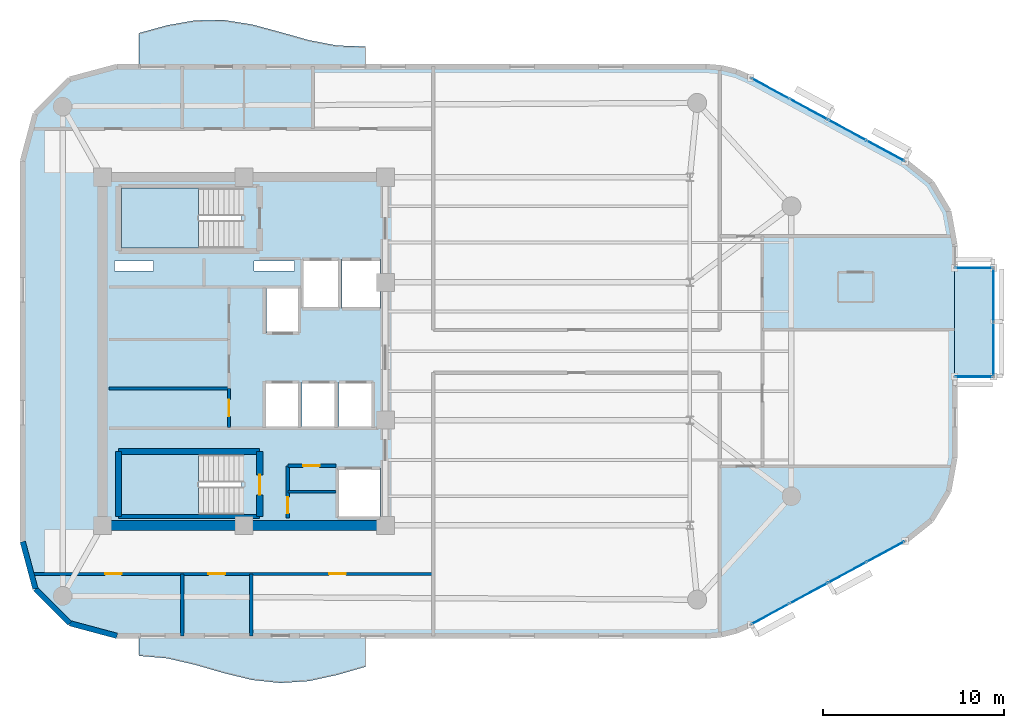
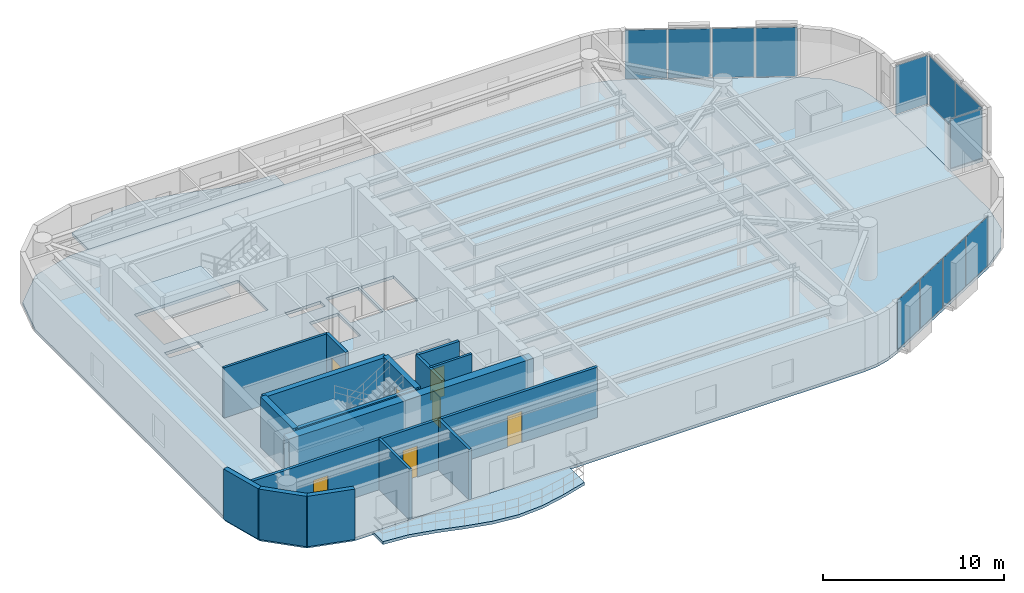
# One storey, part 9 of 14: 16 walls, 12 plates, 7 doors, 6 slabs, 7 openings, 7 elements without a shape of their own.
"""IFC4 building model written with IfcOpenShell, lengths in metres."""

from ifc_helpers import new_model, si_unit, direction, frame, frame_2d, origin, origin_2d, place, context, subcontext, project, spatial, polyline, rectangle, outline, extrude, material, layer, layer_set, type_object, element, fill, aggregate, save


model = new_model("IFC4")

# Units and contexts
model_context = context("Model", 3, precision=1e-05, world=origin(), true_north=direction((0.0, 1.0)))
body_context = subcontext(model_context, "Body", "Model", "MODEL_VIEW")
ifc_project = project(units=[si_unit("LENGTHUNIT", "METRE"), si_unit("AREAUNIT", "SQUARE_METRE"), si_unit("VOLUMEUNIT", "CUBIC_METRE"), si_unit("PLANEANGLEUNIT", "RADIAN"), si_unit("MASSUNIT", "GRAM", prefix="KILO")], contexts=[model_context])

# Site, building, storey
site_placement = place(None, origin())
site = spatial("IfcSite", under=ifc_project, at=site_placement, CompositionType="ELEMENT")
building_placement = place(site_placement, origin())
building = spatial("IfcBuilding", under=site, at=building_placement, Name="An Khanh Terracotta Commons", CompositionType="ELEMENT")
storey_placement = place(building_placement, frame((0.0, 0.0, 230.10009765625)))
storey = spatial("IfcBuildingStorey", under=building, at=storey_placement, Name="L60", CompositionType="ELEMENT", Elevation=230.10009765625)

# Curtain wall, plates
ifc_material_1 = material(Name="Anodised Aluminium 6063-T6", Category="aluminium")
ifc_layer_1 = layer(ifc_material_1, 0.2099609375, Name="Anodised Aluminium 6063-T6")
ifc_layer_set_1 = layer_set([ifc_layer_1], Name="Anodised Aluminium 6063-T6")
curtain_wall_type_1 = type_object("IfcCurtainWallType", Name="CW-SYS-03", PredefinedType="USERDEFINED", material=ifc_layer_set_1)
curtain_wall_1_placement = place(storey_placement, origin())
curtain_wall_1 = element("IfcCurtainWall", 1, at=curtain_wall_1_placement, inside=storey, type_object=curtain_wall_type_1, Name="L60 CW-03 Unitised Curtain Wall CW-L60-08", ObjectType="UNITISED CURTAIN WALL", PredefinedType="USERDEFINED")
ifc_material_2 = material(Name="Acoustic Laminated Low-E Glazing", Category="glass")
ifc_layer_2 = layer(ifc_material_2, 0.035888671875, Name="Acoustic Laminated Low-E Glazing")
ifc_layer_set_2 = layer_set([ifc_layer_2], Name="Acoustic Laminated Low-E Glazing")
plate_type_1 = type_object("IfcPlateType", Name="CWP-IGU-36", PredefinedType="CURTAIN_PANEL", material=ifc_layer_set_2)
plate_1_placement = place(storey_placement, frame((58.436767578125, 9.508544921875, 0.0498046875), z_axis=(0.0, 0.0, 1.0), x_axis=(0.879780095306, 0.47538088298, 0.0)))
plate_1 = element("IfcPlate", 2, at=plate_1_placement, type_object=plate_type_1, Name="CW-03 panel 1.1", PredefinedType="CURTAIN_PANEL", context=body_context, shape_type="SweptSolid", body=[
    extrude(rectangle(XDim=2.314697265625, YDim=0.035888671875, at=origin_2d()), origin(), (0.0, 0.0, 1.0), 3.300048828125),
])
plate_2_placement = place(storey_placement, frame((60.550048828125, 10.650390625, 0.0498046875), z_axis=(0.0, 0.0, 1.0), x_axis=(0.879780095306, 0.47538088298, 0.0)))
plate_2 = element("IfcPlate", 3, at=plate_2_placement, type_object=plate_type_1, Name="CW-03 panel 2.1", PredefinedType="CURTAIN_PANEL", context=body_context, shape_type="SweptSolid", body=[
    extrude(rectangle(XDim=2.349609375, YDim=0.035888671875, at=origin_2d()), origin(), (0.0, 0.0, 1.0), 3.300048828125),
])
plate_3_placement = place(storey_placement, frame((62.678955078125, 11.800537109375, 0.0498046875), z_axis=(0.0, 0.0, 1.0), x_axis=(0.879780095306, 0.47538088298, 0.0)))
plate_3 = element("IfcPlate", 4, at=plate_3_placement, type_object=plate_type_1, Name="CW-03 panel 3.1", PredefinedType="CURTAIN_PANEL", context=body_context, shape_type="SweptSolid", body=[
    extrude(rectangle(XDim=2.349609375, YDim=0.035888671875, at=origin_2d()), origin(), (0.0, 0.0, 1.0), 3.300048828125),
])
plate_4_placement = place(storey_placement, frame((64.792236328125, 12.942626953125, 0.0498046875), z_axis=(0.0, 0.0, 1.0), x_axis=(0.879780095306, 0.47538088298, 0.0)))
plate_4 = element("IfcPlate", 5, at=plate_4_placement, type_object=plate_type_1, Name="CW-03 panel 4.1", PredefinedType="CURTAIN_PANEL", context=body_context, shape_type="SweptSolid", body=[
    extrude(rectangle(XDim=2.314697265625, YDim=0.035888671875, at=origin_2d()), origin(), (0.0, 0.0, 1.0), 3.300048828125),
])
aggregate(curtain_wall_1, [plate_1, plate_2, plate_3, plate_4])

curtain_wall_2_placement = place(storey_placement, origin())
curtain_wall_2 = element("IfcCurtainWall", 6, at=curtain_wall_2_placement, inside=storey, type_object=curtain_wall_type_1, Name="L60 CW-03 Unitised Curtain Wall CW-L60-16", ObjectType="UNITISED CURTAIN WALL", PredefinedType="USERDEFINED")
plate_5_placement = place(storey_placement, frame((64.792236328125, 35.057373046875, 0.0498046875), z_axis=(0.0, 0.0, 1.0), x_axis=(-0.879780095306, 0.47538088298, 0.0)))
plate_5 = element("IfcPlate", 7, at=plate_5_placement, type_object=plate_type_1, Name="CW-03 panel 1.1", PredefinedType="CURTAIN_PANEL", context=body_context, shape_type="SweptSolid", body=[
    extrude(rectangle(XDim=2.314697265625, YDim=0.035888671875, at=origin_2d()), origin(), (0.0, 0.0, 1.0), 3.300048828125),
])
plate_6_placement = place(storey_placement, frame((62.678955078125, 36.199462890625, 0.0498046875), z_axis=(0.0, 0.0, 1.0), x_axis=(-0.879780095306, 0.47538088298, 0.0)))
plate_6 = element("IfcPlate", 8, at=plate_6_placement, type_object=plate_type_1, Name="CW-03 panel 2.1", PredefinedType="CURTAIN_PANEL", context=body_context, shape_type="SweptSolid", body=[
    extrude(rectangle(XDim=2.349609375, YDim=0.035888671875, at=origin_2d()), origin(), (0.0, 0.0, 1.0), 3.300048828125),
])
plate_7_placement = place(storey_placement, frame((60.550048828125, 37.349609375, 0.0498046875), z_axis=(0.0, 0.0, 1.0), x_axis=(-0.879780095306, 0.47538088298, 0.0)))
plate_7 = element("IfcPlate", 9, at=plate_7_placement, type_object=plate_type_1, Name="CW-03 panel 3.1", PredefinedType="CURTAIN_PANEL", context=body_context, shape_type="SweptSolid", body=[
    extrude(rectangle(XDim=2.349609375, YDim=0.035888671875, at=origin_2d()), origin(), (0.0, 0.0, 1.0), 3.300048828125),
])
plate_8_placement = place(storey_placement, frame((58.436767578125, 38.491455078125, 0.0498046875), z_axis=(0.0, 0.0, 1.0), x_axis=(-0.879780095306, 0.47538088298, 0.0)))
plate_8 = element("IfcPlate", 10, at=plate_8_placement, type_object=plate_type_1, Name="CW-03 panel 4.1", PredefinedType="CURTAIN_PANEL", context=body_context, shape_type="SweptSolid", body=[
    extrude(rectangle(XDim=2.314697265625, YDim=0.035888671875, at=origin_2d()), origin(), (0.0, 0.0, 1.0), 3.300048828125),
])
aggregate(curtain_wall_2, [plate_5, plate_6, plate_7, plate_8])

ifc_layer_3 = layer(ifc_material_1, 0.239990234375, Name="Anodised Aluminium 6063-T6")
ifc_layer_set_3 = layer_set([ifc_layer_3], Name="Anodised Aluminium 6063-T6")
curtain_wall_type_2 = type_object("IfcCurtainWallType", Name="CW-SYS-04", PredefinedType="USERDEFINED", material=ifc_layer_set_3)
curtain_wall_3_placement = place(storey_placement, origin())
curtain_wall_3 = element("IfcCurtainWall", 11, at=curtain_wall_3_placement, inside=storey, type_object=curtain_wall_type_2, Name="L60 CW-04 Unitised Curtain Wall CW-L60-EBOX-1", ObjectType="UNITISED CURTAIN WALL", PredefinedType="USERDEFINED")
ifc_material_3 = material(Name="Triple-Silver Sky-Lobby Glazing", Category="glass")
ifc_layer_4 = layer(ifc_material_3, 0.0400390625, Name="Triple-Silver Sky-Lobby Glazing")
ifc_layer_set_4 = layer_set([ifc_layer_4], Name="Triple-Silver Sky-Lobby Glazing")
plate_type_2 = type_object("IfcPlateType", Name="CWP-IGU-40", PredefinedType="CURTAIN_PANEL", material=ifc_layer_set_4)
plate_9_placement = place(storey_placement, frame((70.75, 24.1162109375, 0.06005859375), z_axis=(0.0, 0.0, 1.0), x_axis=(0.0, 1.0, 0.0)))
plate_9 = element("IfcPlate", 12, at=plate_9_placement, type_object=plate_type_2, Name="CW-04 panel 1.1", PredefinedType="CURTAIN_PANEL", context=body_context, shape_type="SweptSolid", body=[
    extrude(rectangle(XDim=2.902587890625, YDim=0.0400390625, at=origin_2d()), origin(), (0.0, 0.0, 1.0), 3.280029296875),
])
plate_10_placement = place(storey_placement, frame((70.75, 27.083740234375, 0.06005859375), z_axis=(0.0, 0.0, 1.0), x_axis=(0.0, 1.0, 0.0)))
plate_10 = element("IfcPlate", 13, at=plate_10_placement, type_object=plate_type_2, Name="CW-04 panel 2.1", PredefinedType="CURTAIN_PANEL", context=body_context, shape_type="SweptSolid", body=[
    extrude(rectangle(XDim=2.902587890625, YDim=0.0400390625, at=origin_2d()), origin(), (0.0, 0.0, 1.0), 3.280029296875),
])
aggregate(curtain_wall_3, [plate_9, plate_10])

# Curtain wall, plate
curtain_wall_4_placement = place(storey_placement, origin())
curtain_wall_4 = element("IfcCurtainWall", 14, at=curtain_wall_4_placement, inside=storey, type_object=curtain_wall_type_2, Name="L60 CW-04 Unitised Curtain Wall CW-L60-EBOX-2", ObjectType="UNITISED CURTAIN WALL", PredefinedType="USERDEFINED")
plate_11_placement = place(storey_placement, frame((69.675048828125, 22.60009765625, 0.06005859375), z_axis=(0.0, 0.0, 1.0), x_axis=(1.0, 0.0, 0.0)))
plate_11 = element("IfcPlate", 15, at=plate_11_placement, type_object=plate_type_2, Name="CW-04 panel 1.1", PredefinedType="CURTAIN_PANEL", context=body_context, shape_type="SweptSolid", body=[
    extrude(rectangle(XDim=2.02001953125, YDim=0.0400390625, at=origin_2d()), origin(), (0.0, 0.0, 1.0), 3.280029296875),
])
aggregate(curtain_wall_4, [plate_11])

curtain_wall_5_placement = place(storey_placement, origin())
curtain_wall_5 = element("IfcCurtainWall", 16, at=curtain_wall_5_placement, inside=storey, type_object=curtain_wall_type_2, Name="L60 CW-04 Unitised Curtain Wall CW-L60-EBOX-3", ObjectType="UNITISED CURTAIN WALL", PredefinedType="USERDEFINED")
plate_12_placement = place(storey_placement, frame((69.675048828125, 28.60009765625, 0.06005859375), z_axis=(0.0, 0.0, 1.0), x_axis=(-1.0, 0.0, 0.0)))
plate_12 = element("IfcPlate", 17, at=plate_12_placement, type_object=plate_type_2, Name="CW-04 panel 1.1", PredefinedType="CURTAIN_PANEL", context=body_context, shape_type="SweptSolid", body=[
    extrude(rectangle(XDim=2.02001953125, YDim=0.0400390625, at=origin_2d()), origin(), (0.0, 0.0, 1.0), 3.280029296875),
])
aggregate(curtain_wall_5, [plate_12])

# Slabs
ifc_material_4 = material(Name="Concrete C40/50", Category="concrete")
ifc_layer_5 = layer(ifc_material_4, 0.199951171875, Name="Concrete C40/50")
ifc_layer_set_5 = layer_set([ifc_layer_5], Name="Concrete C40/50")
slab_type_1 = type_object("IfcSlabType", Name="SLAB-BALC-200", PredefinedType="FLOOR", material=ifc_layer_set_5)
slab_1_placement = place(storey_placement, frame((0.0, 0.0, -0.2001953125)))
element("IfcSlab", 18, at=slab_1_placement, inside=storey, type_object=slab_type_1, Name="L60 S Sinusoidal Wave Balcony Slab", PredefinedType="FLOOR", context=body_context, shape_type="SweptSolid", body=[
    extrude(outline(polyline([(23.60009765625, 8.300048828125), (23.60009765625, 7.199951171875), (25.1630859375, 7.06298828125), (26.72509765625, 6.702880859375), (28.2880859375, 6.25), (29.85009765625, 5.8701171875), (31.4130859375, 5.701904296875), (32.97509765625, 5.806884765625), (34.5380859375, 6.14599609375), (36.10009765625, 6.595947265625), (36.10009765625, 8.300048828125), (23.60009765625, 8.300048828125)])), origin(), (0.0, 0.0, 1.0), 0.2001953125),
])
slab_2_placement = place(storey_placement, frame((0.0, 0.0, -0.2001953125)))
element("IfcSlab", 19, at=slab_2_placement, inside=storey, type_object=slab_type_1, Name="L60 N Sinusoidal Wave Balcony Slab", PredefinedType="FLOOR", context=body_context, shape_type="SweptSolid", body=[
    extrude(outline(polyline([(36.10009765625, 39.699951171875), (36.10009765625, 40.81396484375), (34.5380859375, 40.864013671875), (32.97509765625, 41.1640625), (31.4130859375, 41.60498046875), (29.85009765625, 42.02587890625), (28.2880859375, 42.27294921875), (26.72509765625, 42.256103515625), (25.1630859375, 41.98193359375), (23.60009765625, 41.550048828125), (23.60009765625, 39.699951171875), (36.10009765625, 39.699951171875)])), origin(), (0.0, 0.0, 1.0), 0.2001953125),
])

# Stair, slab
ifc_material_5 = material(Name="Precast concrete C40/50", Category="concrete")
stair_type = type_object("IfcStairType", Name="STAIR-CORE-1550", PredefinedType="HALF_TURN_STAIR", material=ifc_material_5)
stair_1_placement = place(storey_placement, origin())
stair_1 = element("IfcStair", 20, at=stair_1_placement, inside=storey, type_object=stair_type, Name="L60 Core Smokeproof Exit Stair ST-01", PredefinedType="HALF_TURN_STAIR")
ifc_layer_6 = layer(ifc_material_4, 0.18994140625, Name="Concrete C40/50")
ifc_layer_set_6 = layer_set([ifc_layer_6], Name="Concrete C40/50")
slab_type_2 = type_object("IfcSlabType", Name="SLAB-LANDING-190", PredefinedType="LANDING", material=ifc_layer_set_6)
slab_3_placement = place(storey_placement, frame((0.0, 0.0, 1.599853515625)))
slab_3 = element("IfcSlab", 21, at=slab_3_placement, type_object=slab_type_2, Name="ST-01 landing 1", PredefinedType="LANDING", context=body_context, shape_type="SweptSolid", body=[
    extrude(outline(polyline([(26.889892578125, 33.0), (22.64990234375, 33.0), (22.64990234375, 29.699951171875), (26.889892578125, 29.699951171875), (26.889892578125, 33.0)])), origin(), (0.0, 0.0, 1.0), 0.199951171875),
])
aggregate(stair_1, [slab_3])

stair_2_placement = place(storey_placement, origin())
stair_2 = element("IfcStair", 22, at=stair_2_placement, inside=storey, type_object=stair_type, Name="L60 Core Smokeproof Exit Stair ST-02", PredefinedType="HALF_TURN_STAIR")
slab_4_placement = place(storey_placement, frame((0.0, 0.0, 1.599853515625)))
slab_4 = element("IfcSlab", 23, at=slab_4_placement, type_object=slab_type_2, Name="ST-02 landing 1", PredefinedType="LANDING", context=body_context, shape_type="SweptSolid", body=[
    extrude(outline(polyline([(26.889892578125, 18.300048828125), (22.64990234375, 18.300048828125), (22.64990234375, 15.0), (26.889892578125, 15.0), (26.889892578125, 18.300048828125)])), origin(), (0.0, 0.0, 1.0), 0.199951171875),
])
aggregate(stair_2, [slab_4])

# Slabs
ifc_layer_7 = layer(ifc_material_4, 0.199951171875, Name="Concrete C40/50")
ifc_layer_set_7 = layer_set([ifc_layer_7], Name="Concrete C40/50")
slab_type_3 = type_object("IfcSlabType", Name="SLAB-TYP-200", PredefinedType="FLOOR", material=ifc_layer_set_7)
slab_5_placement = place(storey_placement, frame((0.0, 0.0, -0.2001953125)))
element("IfcSlab", 24, at=slab_5_placement, inside=storey, type_object=slab_type_3, Name="L60 Structural Floor Slab", PredefinedType="FLOOR", context=body_context, shape_type="SweptSolid", body=[
    extrude(outline(polyline([(17.199951171875, 13.5), (17.89697265625, 10.89990234375), (19.800048828125, 8.9970703125), (22.39990234375, 8.300048828125), (54.885009765625, 8.300048828125), (55.739990234375, 8.37109375), (56.571044921875, 8.5810546875), (57.35693359375, 8.925048828125), (65.8720703125, 13.52587890625), (67.320068359375, 14.68408203125), (68.26904296875, 16.27587890625), (68.60009765625, 18.10107421875), (68.60009765625, 29.89892578125), (68.26904296875, 31.72412109375), (67.320068359375, 33.31591796875), (65.8720703125, 34.47412109375), (57.35693359375, 39.074951171875), (56.571044921875, 39.4189453125), (55.739990234375, 39.62890625), (54.885009765625, 39.699951171875), (22.39990234375, 39.699951171875), (19.800048828125, 39.0029296875), (17.89697265625, 37.10009765625), (17.199951171875, 34.5), (17.199951171875, 13.5)]), holes=[polyline([(22.64990234375, 29.699951171875), (29.27001953125, 29.699951171875), (29.27001953125, 33.0), (22.64990234375, 33.0), (22.64990234375, 29.699951171875)]), polyline([(22.64990234375, 15.0), (29.27001953125, 15.0), (29.27001953125, 18.300048828125), (22.64990234375, 18.300048828125), (22.64990234375, 15.0)]), polyline([(32.60009765625, 26.35009765625), (34.679931640625, 26.35009765625), (34.679931640625, 29.080078125), (32.60009765625, 29.080078125), (32.60009765625, 26.35009765625)]), polyline([(34.820068359375, 26.35009765625), (36.89990234375, 26.35009765625), (36.89990234375, 29.080078125), (34.820068359375, 29.080078125), (34.820068359375, 26.35009765625)]), polyline([(34.550048828125, 14.800048828125), (36.89990234375, 14.800048828125), (36.89990234375, 17.550048828125), (34.550048828125, 17.550048828125), (34.550048828125, 14.800048828125)]), polyline([(30.639892578125, 25.0), (32.4599609375, 25.0), (32.4599609375, 27.5), (30.639892578125, 27.5), (30.639892578125, 25.0)]), polyline([(30.56005859375, 19.800048828125), (32.4599609375, 19.800048828125), (32.4599609375, 22.300048828125), (30.56005859375, 22.300048828125), (30.56005859375, 19.800048828125)]), polyline([(32.60009765625, 19.800048828125), (34.5, 19.800048828125), (34.5, 22.300048828125), (32.60009765625, 22.300048828125), (32.60009765625, 19.800048828125)]), polyline([(34.639892578125, 19.800048828125), (36.5400390625, 19.800048828125), (36.5400390625, 22.300048828125), (34.639892578125, 22.300048828125), (34.639892578125, 19.800048828125)]), polyline([(22.25, 28.419921875), (24.39990234375, 28.419921875), (24.39990234375, 28.97998046875), (22.25, 28.97998046875), (22.25, 28.419921875)]), polyline([(29.949951171875, 28.419921875), (32.199951171875, 28.419921875), (32.199951171875, 28.97998046875), (29.949951171875, 28.97998046875), (29.949951171875, 28.419921875)])]), origin(), (0.0, 0.0, 1.0), 0.2001953125),
])
slab_6_placement = place(storey_placement, frame((0.0, 0.0, -0.2001953125)))
element("IfcSlab", 25, at=slab_6_placement, inside=storey, type_object=slab_type_3, Name="L60 Shifted Social Kitchen Box Floor Slab", PredefinedType="FLOOR", context=body_context, shape_type="SweptSolid", body=[
    extrude(outline(polyline([(68.60009765625, 22.60009765625), (70.75, 22.60009765625), (70.75, 28.60009765625), (68.60009765625, 28.60009765625), (68.60009765625, 22.60009765625)])), origin(), (0.0, 0.0, 1.0), 0.2001953125),
])

# Wall
ifc_material_6 = material(Name="Concrete C50/60", Category="concrete")
ifc_layer_8 = layer(ifc_material_6, 0.550048828125, Name="Concrete C50/60")
ifc_layer_set_8 = layer_set([ifc_layer_8], Name="Concrete C50/60")
wall_type_1 = type_object("IfcWallType", Name="WALL-CORE-550", PredefinedType="SHEAR", material=ifc_layer_set_8)
wall_1_placement = place(storey_placement, frame((37.199951171875, 14.39990234375, 0.0), z_axis=(0.0, 0.0, 1.0), x_axis=(-1.0, 0.0, 0.0)))
element("IfcWall", 26, at=wall_1_placement, inside=storey, type_object=wall_type_1, Name="L60 Core Wall CWALL-L60-S", PredefinedType="SHEAR", context=body_context, shape_type="SweptSolid", body=[
    extrude(rectangle(XDim=15.599853515625, YDim=0.550048828125, at=frame_2d((7.7998046875, 0.0))), origin(), (0.0, 0.0, 1.0), 3.39990234375),
])

# Wall, opening, door
ifc_material_7 = material(Name="Fire-Rated Gypsum Board on Steel Stud", Category="steel")
ifc_layer_9 = layer(ifc_material_7, 0.179931640625, Name="Fire-Rated Gypsum Board on Steel Stud")
ifc_layer_set_9 = layer_set([ifc_layer_9], Name="Fire-Rated Gypsum Board on Steel Stud")
wall_type_2 = type_object("IfcWallType", Name="WALL-CORR-180", PredefinedType="PARTITIONING", material=ifc_layer_set_9)
wall_2_placement = place(storey_placement, frame((31.820068359375, 17.679931640625, 0.0), z_axis=(0.0, 0.0, 1.0), x_axis=(1.0, 0.0, 0.0)))
wall_2 = element("IfcWall", 27, at=wall_2_placement, inside=storey, type_object=wall_type_2, Name="L60 Core Wall SSVCW-L60-N", PredefinedType="PARTITIONING", context=body_context, shape_type="SweptSolid", body=[
    extrude(rectangle(XDim=2.659912109375, YDim=0.179931640625, at=frame_2d((1.330078125, 0.0))), origin(), (0.0, 0.0, 1.0), 3.39990234375),
])
opening_1_placement = place(wall_2_placement, frame((0.85009765625, 0.0, 0.0)))
opening_1 = element("IfcOpeningElement", 28, at=opening_1_placement, cuts=wall_2, Name="Opening D-SV", PredefinedType="OPENING", context=body_context, shape_type="SweptSolid", body=[
    extrude(rectangle(XDim=0.89990234375, YDim=2.050048828125, at=frame_2d((0.449951171875, 1.02490234375))), frame((0.0, 0.099853515625, 0.0), z_axis=(0.0, -1.0, 0.0), x_axis=(1.0, 0.0, 0.0)), (0.0, 0.0, 1.0), 0.199951171875),
])
ifc_material_8 = material(Name="Fire-Rated Powder-Coated Steel Door", Category="steel")
door_type_1 = type_object("IfcDoorType", Name="DOOR-SERV-900", OperationType="NOTDEFINED", PredefinedType="DOOR", material=ifc_material_8)
door_1_placement = place(opening_1_placement, origin())
door_1 = element("IfcDoor", 29, at=door_1_placement, inside=storey, type_object=door_type_1, Name="L60 Core Cleaner Store Door", OperationType="SINGLE_SWING_RIGHT", OverallHeight=2.050048828125, OverallWidth=0.89990234375, PredefinedType="DOOR", context=body_context, shape_type="SweptSolid", body=[
    extrude(rectangle(XDim=0.89990234375, YDim=2.050048828125, at=frame_2d((0.449951171875, 1.02490234375))), frame((0.0, 0.02490234375, 0.0), z_axis=(0.0, -1.0, 0.0), x_axis=(1.0, 0.0, 0.0)), (0.0, 0.0, 1.0), 0.050048828125),
])
fill(opening_1, door_1)

wall_3_placement = place(storey_placement, frame((31.820068359375, 14.800048828125, 0.0), z_axis=(0.0, 0.0, 1.0), x_axis=(0.0, 1.0, 0.0)))
wall_3 = element("IfcWall", 30, at=wall_3_placement, inside=storey, type_object=wall_type_2, Name="L60 Core Wall SSVCW-L60-W", PredefinedType="PARTITIONING", context=body_context, shape_type="SweptSolid", body=[
    extrude(rectangle(XDim=2.8798828125, YDim=0.179931640625, at=frame_2d((1.43994140625, 0.0))), origin(), (0.0, 0.0, 1.0), 3.39990234375),
])
opening_2_placement = place(wall_3_placement, frame((0.260009765625, 0.0, 0.0)))
opening_2 = element("IfcOpeningElement", 31, at=opening_2_placement, cuts=wall_3, Name="Opening D-SV", PredefinedType="OPENING", context=body_context, shape_type="SweptSolid", body=[
    extrude(rectangle(XDim=0.89990234375, YDim=2.050048828125, at=frame_2d((0.449951171875, 1.02490234375))), frame((0.0, 0.099853515625, 0.0), z_axis=(0.0, -1.0, 0.0), x_axis=(1.0, 0.0, 0.0)), (0.0, 0.0, 1.0), 0.199951171875),
])
door_2_placement = place(opening_2_placement, origin())
door_2 = element("IfcDoor", 32, at=door_2_placement, inside=storey, type_object=door_type_1, Name="L60 Telecoms BMS Cupboard Door", OperationType="SINGLE_SWING_LEFT", OverallHeight=2.050048828125, OverallWidth=0.89990234375, PredefinedType="DOOR", context=body_context, shape_type="SweptSolid", body=[
    extrude(rectangle(XDim=0.89990234375, YDim=2.050048828125, at=frame_2d((0.449951171875, 1.02490234375))), frame((0.0, 0.02490234375, 0.0), z_axis=(0.0, -1.0, 0.0), x_axis=(1.0, 0.0, 0.0)), (0.0, 0.0, 1.0), 0.050048828125),
])
fill(opening_2, door_2)

wall_4_placement = place(storey_placement, frame((28.580078125, 19.800048828125, 0.0), z_axis=(0.0, 0.0, 1.0), x_axis=(0.0, 1.0, 0.0)))
wall_4 = element("IfcWall", 33, at=wall_4_placement, inside=storey, type_object=wall_type_2, Name="L60 Core Wall RECW-L60-E3", PredefinedType="PARTITIONING", context=body_context, shape_type="SweptSolid", body=[
    extrude(rectangle(XDim=2.14990234375, YDim=0.179931640625, at=frame_2d((1.074951171875, 0.0))), origin(), (0.0, 0.0, 1.0), 3.39990234375),
])
opening_3_placement = place(wall_4_placement, frame((0.614990234375, 0.0, 0.0)))
opening_3 = element("IfcOpeningElement", 34, at=opening_3_placement, cuts=wall_4, Name="Opening D-RM", PredefinedType="OPENING", context=body_context, shape_type="SweptSolid", body=[
    extrude(rectangle(XDim=0.919921875, YDim=2.10009765625, at=frame_2d((0.4599609375, 1.050048828125))), frame((0.0, 0.099853515625, 0.0), z_axis=(0.0, -1.0, 0.0), x_axis=(1.0, 0.0, 0.0)), (0.0, 0.0, 1.0), 0.199951171875),
])
ifc_material_9 = material(Name="Engineered Hardwood Timber Leaf", Category="wood")
door_type_2 = type_object("IfcDoorType", Name="DOOR-INT-920", OperationType="NOTDEFINED", PredefinedType="DOOR", material=ifc_material_9)
door_3_placement = place(opening_3_placement, origin())
door_3 = element("IfcDoor", 35, at=door_3_placement, inside=storey, type_object=door_type_2, Name="L60 Communal Laundry Room Door", OperationType="SINGLE_SWING_RIGHT", OverallHeight=2.10009765625, OverallWidth=0.919921875, PredefinedType="DOOR", context=body_context, shape_type="SweptSolid", body=[
    extrude(rectangle(XDim=0.919921875, YDim=2.10009765625, at=frame_2d((0.4599609375, 1.050048828125))), frame((0.0, 0.02490234375, 0.0), z_axis=(0.0, -1.0, 0.0), x_axis=(1.0, 0.0, 0.0)), (0.0, 0.0, 1.0), 0.050048828125),
])
fill(opening_3, door_3)

# Wall, openings, doors
wall_5_placement = place(storey_placement, frame((17.677001953125, 11.719970703125, 0.0), z_axis=(0.0, 0.0, 1.0), x_axis=(1.0, 0.0, 0.0)))
wall_5 = element("IfcWall", 36, at=wall_5_placement, inside=storey, type_object=wall_type_2, Name="L60 Interior Partition IW-L60-E001", PredefinedType="PARTITIONING", context=body_context, shape_type="SweptSolid", body=[
    extrude(rectangle(XDim=22.173095703125, YDim=0.179931640625, at=frame_2d((11.08642578125, 0.0))), origin(), (0.0, 0.0, 1.0), 3.39990234375),
])
opening_4_placement = place(wall_5_placement, frame((9.762939453125, 0.0, 0.0)))
opening_4 = element("IfcOpeningElement", 37, at=opening_4_placement, cuts=wall_5, Name="Opening D-RM", PredefinedType="OPENING", context=body_context, shape_type="SweptSolid", body=[
    extrude(rectangle(XDim=0.919921875, YDim=2.10009765625, at=frame_2d((0.4599609375, 1.050048828125))), frame((0.0, 0.099853515625, 0.0), z_axis=(0.0, -1.0, 0.0), x_axis=(1.0, 0.0, 0.0)), (0.0, 0.0, 1.0), 0.199951171875),
])
opening_5_placement = place(wall_5_placement, frame((4.06298828125, 0.0, 0.0)))
opening_5 = element("IfcOpeningElement", 38, at=opening_5_placement, cuts=wall_5, Name="Opening D-RM", PredefinedType="OPENING", context=body_context, shape_type="SweptSolid", body=[
    extrude(rectangle(XDim=0.919921875, YDim=2.10009765625, at=frame_2d((0.4599609375, 1.050048828125))), frame((0.0, 0.099853515625, 0.0), z_axis=(0.0, -1.0, 0.0), x_axis=(1.0, 0.0, 0.0)), (0.0, 0.0, 1.0), 0.199951171875),
])
opening_6_placement = place(wall_5_placement, frame((16.427978515625, 0.0, 0.0)))
opening_6 = element("IfcOpeningElement", 39, at=opening_6_placement, cuts=wall_5, Name="Opening D-RM", PredefinedType="OPENING", context=body_context, shape_type="SweptSolid", body=[
    extrude(rectangle(XDim=0.919921875, YDim=2.10009765625, at=frame_2d((0.4599609375, 1.050048828125))), frame((0.0, 0.099853515625, 0.0), z_axis=(0.0, -1.0, 0.0), x_axis=(1.0, 0.0, 0.0)), (0.0, 0.0, 1.0), 0.199951171875),
])
door_4_placement = place(opening_4_placement, origin())
door_4 = element("IfcDoor", 40, at=door_4_placement, inside=storey, type_object=door_type_2, Name="L60 HKP Housekeeping Linen Store Door", OperationType="SINGLE_SWING_RIGHT", OverallHeight=2.10009765625, OverallWidth=0.919921875, PredefinedType="DOOR", context=body_context, shape_type="SweptSolid", body=[
    extrude(rectangle(XDim=0.919921875, YDim=2.10009765625, at=frame_2d((0.4599609375, 1.050048828125))), frame((0.0, 0.02490234375, 0.0), z_axis=(0.0, -1.0, 0.0), x_axis=(1.0, 0.0, 0.0)), (0.0, 0.0, 1.0), 0.050048828125),
])
fill(opening_4, door_4)
door_5_placement = place(opening_5_placement, origin())
door_5 = element("IfcDoor", 41, at=door_5_placement, inside=storey, type_object=door_type_2, Name="L60 SW1 Boardroom Meeting Room Door", OperationType="SINGLE_SWING_LEFT", OverallHeight=2.10009765625, OverallWidth=0.919921875, PredefinedType="DOOR", context=body_context, shape_type="SweptSolid", body=[
    extrude(rectangle(XDim=0.919921875, YDim=2.10009765625, at=frame_2d((0.4599609375, 1.050048828125))), frame((0.0, 0.02490234375, 0.0), z_axis=(0.0, -1.0, 0.0), x_axis=(1.0, 0.0, 0.0)), (0.0, 0.0, 1.0), 0.050048828125),
])
fill(opening_5, door_5)
door_6_placement = place(opening_6_placement, origin())
door_6 = element("IfcDoor", 42, at=door_6_placement, inside=storey, type_object=door_type_2, Name="L60 SWE Academic Seminar Room Door", OperationType="SINGLE_SWING_RIGHT", OverallHeight=2.10009765625, OverallWidth=0.919921875, PredefinedType="DOOR", context=body_context, shape_type="SweptSolid", body=[
    extrude(rectangle(XDim=0.919921875, YDim=2.10009765625, at=frame_2d((0.4599609375, 1.050048828125))), frame((0.0, 0.02490234375, 0.0), z_axis=(0.0, -1.0, 0.0), x_axis=(1.0, 0.0, 0.0)), (0.0, 0.0, 1.0), 0.050048828125),
])
fill(opening_6, door_6)

# Walls
for number, where, z_axis, x_axis, name in (
    (43, (26.0, 8.300048828125, 0.0), (0.0, 0.0, 1.0), (0.0, 1.0, 0.0), "L60 Interior Partition IW-L60-E008"),
    (44, (29.800048828125, 8.300048828125, 0.0), (0.0, 0.0, 1.0), (0.0, 1.0, 0.0), "L60 Interior Partition IW-L60-E011"),
):
    element("IfcWall", number, at=place(storey_placement, frame(where, z_axis=z_axis, x_axis=x_axis)), inside=storey, type_object=wall_type_2, Name=name, PredefinedType="PARTITIONING", context=body_context, shape_type="SweptSolid", body=[
        extrude(rectangle(XDim=3.419921875, YDim=0.179931640625, at=frame_2d((1.7099609375, 0.0))), origin(), (0.0, 0.0, 1.0), 3.39990234375),
    ])
ifc_layer_10 = layer(ifc_material_5, 0.300048828125, Name="Precast concrete C40/50")
ifc_layer_set_10 = layer_set([ifc_layer_10], Name="Precast concrete C40/50")
wall_type_3 = type_object("IfcWallType", Name="WALL-EXT-300", PredefinedType="SOLIDWALL", material=ifc_layer_set_10)
wall_6_placement = place(storey_placement, frame((17.199951171875, 13.5, 0.0), z_axis=(0.0, 0.0, 1.0), x_axis=(0.258932525951, -0.965895412042, 0.0)))
element("IfcWall", 45, at=wall_6_placement, inside=storey, type_object=wall_type_3, Name="L60 Insulated Terracotta Exterior Wall 1", PredefinedType="SOLIDWALL", context=body_context, shape_type="SweptSolid", body=[
    extrude(rectangle(XDim=2.69189453125, YDim=0.300048828125, at=frame_2d((1.345947265625, 0.0))), origin(), (0.0, 0.0, 1.0), 3.39990234375),
])
wall_7_placement = place(storey_placement, frame((17.89697265625, 10.89990234375, 0.0), z_axis=(0.0, 0.0, 1.0), x_axis=(0.707152139074, -0.70706142039, 0.0)))
element("IfcWall", 46, at=wall_7_placement, inside=storey, type_object=wall_type_3, Name="L60 Insulated Terracotta Exterior Wall 2", PredefinedType="SOLIDWALL", context=body_context, shape_type="SweptSolid", body=[
    extrude(rectangle(XDim=2.691162109375, YDim=0.300048828125, at=frame_2d((1.345703125, 0.0))), origin(), (0.0, 0.0, 1.0), 3.39990234375),
])
wall_8_placement = place(storey_placement, frame((19.800048828125, 8.9970703125, 0.0), z_axis=(0.0, 0.0, 1.0), x_axis=(0.965889330541, -0.258955210695, 0.0)))
element("IfcWall", 47, at=wall_8_placement, inside=storey, type_object=wall_type_3, Name="L60 Insulated Terracotta Exterior Wall 3", PredefinedType="SOLIDWALL", context=body_context, shape_type="SweptSolid", body=[
    extrude(rectangle(XDim=2.691650390625, YDim=0.300048828125, at=frame_2d((1.345703125, 0.0))), origin(), (0.0, 0.0, 1.0), 3.39990234375),
])
ifc_material_10 = material(Name="Acoustic Gypsum Board Partition")
ifc_layer_11 = layer(ifc_material_10, 0.14990234375, Name="Acoustic Gypsum Board Partition")
ifc_layer_set_11 = layer_set([ifc_layer_11], Name="Acoustic Gypsum Board Partition")
wall_type_4 = type_object("IfcWallType", Name="WALL-PART-150", PredefinedType="PARTITIONING", material=ifc_layer_set_11)
wall_9_placement = place(storey_placement, frame((31.820068359375, 16.260009765625, 0.0), z_axis=(0.0, 0.0, 1.0), x_axis=(1.0, 0.0, 0.0)))
element("IfcWall", 48, at=wall_9_placement, inside=storey, type_object=wall_type_4, Name="L60 Core Wall SSVCW-L60-M", PredefinedType="PARTITIONING", context=body_context, shape_type="SweptSolid", body=[
    extrude(rectangle(XDim=2.659912109375, YDim=0.14990234375, at=frame_2d((1.330078125, 0.0))), origin(), (0.0, 0.0, 1.0), 3.39990234375),
])
wall_10_placement = place(storey_placement, frame((21.949951171875, 21.949951171875, 0.0), z_axis=(0.0, 0.0, 1.0), x_axis=(1.0, 0.0, 0.0)))
element("IfcWall", 49, at=wall_10_placement, inside=storey, type_object=wall_type_4, Name="L60 Core Wall RECW-L60-H2", PredefinedType="PARTITIONING", context=body_context, shape_type="SweptSolid", body=[
    extrude(rectangle(XDim=6.630126953125, YDim=0.14990234375, at=frame_2d((3.31494140625, 0.0))), origin(), (0.0, 0.0, 1.0), 3.39990234375),
])
ifc_material_11 = material(Name="Acoustic Double-Stud Gypsum and Mineral Wool")
ifc_layer_12 = layer(ifc_material_11, 0.219970703125, Name="Acoustic Double-Stud Gypsum and Mineral Wool")
ifc_layer_set_12 = layer_set([ifc_layer_12], Name="Acoustic Double-Stud Gypsum and Mineral Wool")
wall_type_5 = type_object("IfcWallType", Name="WALL-PARTY-220", PredefinedType="PARTITIONING", material=ifc_layer_set_12)
wall_11_placement = place(storey_placement, frame((22.47998046875, 14.889892578125, 0.0), z_axis=(0.0, 0.0, 1.0), x_axis=(1.0, 0.0, 0.0)))
element("IfcWall", 50, at=wall_11_placement, inside=storey, type_object=wall_type_5, Name="L60 Core Wall STW-L60-S-S", PredefinedType="PARTITIONING", context=body_context, shape_type="SweptSolid", body=[
    extrude(rectangle(XDim=7.7900390625, YDim=0.219970703125, at=frame_2d((3.89501953125, 0.0))), origin(), (0.0, 0.0, 1.0), 3.39990234375),
])
ifc_layer_13 = layer(ifc_material_6, 0.35009765625, Name="Concrete C50/60")
ifc_layer_set_13 = layer_set([ifc_layer_13], Name="Concrete C50/60")
wall_type_6 = type_object("IfcWallType", Name="WALL-SHAFT-350", PredefinedType="SOLIDWALL", material=ifc_layer_set_13)
wall_12_placement = place(storey_placement, frame((22.47998046875, 18.469970703125, 0.0), z_axis=(0.0, 0.0, 1.0), x_axis=(1.0, 0.0, 0.0)))
element("IfcWall", 51, at=wall_12_placement, inside=storey, type_object=wall_type_6, Name="L60 Core Wall STW-L60-S-N", PredefinedType="SOLIDWALL", context=body_context, shape_type="SweptSolid", body=[
    extrude(rectangle(XDim=7.7900390625, YDim=0.35009765625, at=frame_2d((3.89501953125, 0.0))), origin(), (0.0, 0.0, 1.0), 3.39990234375),
])
wall_13_placement = place(storey_placement, frame((22.47998046875, 14.889892578125, 0.0), z_axis=(0.0, 0.0, 1.0), x_axis=(0.0, 1.0, 0.0)))
element("IfcWall", 52, at=wall_13_placement, inside=storey, type_object=wall_type_6, Name="L60 Core Wall STW-L60-S-W", PredefinedType="SOLIDWALL", context=body_context, shape_type="SweptSolid", body=[
    extrude(rectangle(XDim=3.580078125, YDim=0.35009765625, at=frame_2d((1.7900390625, 0.0))), origin(), (0.0, 0.0, 1.0), 3.39990234375),
])

# Wall, opening, door
wall_14_placement = place(storey_placement, frame((30.27001953125, 14.889892578125, 0.0), z_axis=(0.0, 0.0, 1.0), x_axis=(0.0, 1.0, 0.0)))
wall_14 = element("IfcWall", 53, at=wall_14_placement, inside=storey, type_object=wall_type_6, Name="L60 Core Wall STW-L60-S-E", PredefinedType="SOLIDWALL", context=body_context, shape_type="SweptSolid", body=[
    extrude(rectangle(XDim=3.580078125, YDim=0.35009765625, at=frame_2d((1.7900390625, 0.0))), origin(), (0.0, 0.0, 1.0), 3.39990234375),
])
opening_7_placement = place(wall_14_placement, frame((1.18994140625, 0.0, 0.0)))
opening_7 = element("IfcOpeningElement", 54, at=opening_7_placement, cuts=wall_14, Name="Opening D-ST", PredefinedType="OPENING", context=body_context, shape_type="SweptSolid", body=[
    extrude(rectangle(XDim=1.10009765625, YDim=2.14990234375, at=frame_2d((0.550048828125, 1.074951171875))), frame((0.0, 0.18505859375, 0.0), z_axis=(0.0, -1.0, 0.0), x_axis=(1.0, 0.0, 0.0)), (0.0, 0.0, 1.0), 0.3701171875),
])
ifc_material_12 = material(Name="Fire-Rated Steel Leaf and Frame", Category="steel")
door_type_3 = type_object("IfcDoorType", Name="DOOR-STAIR-1100", OperationType="NOTDEFINED", PredefinedType="DOOR", material=ifc_material_12)
door_7_placement = place(opening_7_placement, origin())
door_7 = element("IfcDoor", 55, at=door_7_placement, inside=storey, type_object=door_type_3, Name="L60 Stair ST-02 Fire Door", OperationType="SINGLE_SWING_LEFT", OverallHeight=2.14990234375, OverallWidth=1.10009765625, PredefinedType="DOOR", context=body_context, shape_type="SweptSolid", body=[
    extrude(rectangle(XDim=1.10009765625, YDim=2.14990234375, at=frame_2d((0.550048828125, 1.074951171875))), frame((0.0, 0.02490234375, 0.0), z_axis=(0.0, -1.0, 0.0), x_axis=(1.0, 0.0, 0.0)), (0.0, 0.0, 1.0), 0.050048828125),
])
fill(opening_7, door_7)

save(model, "model.ifc")
